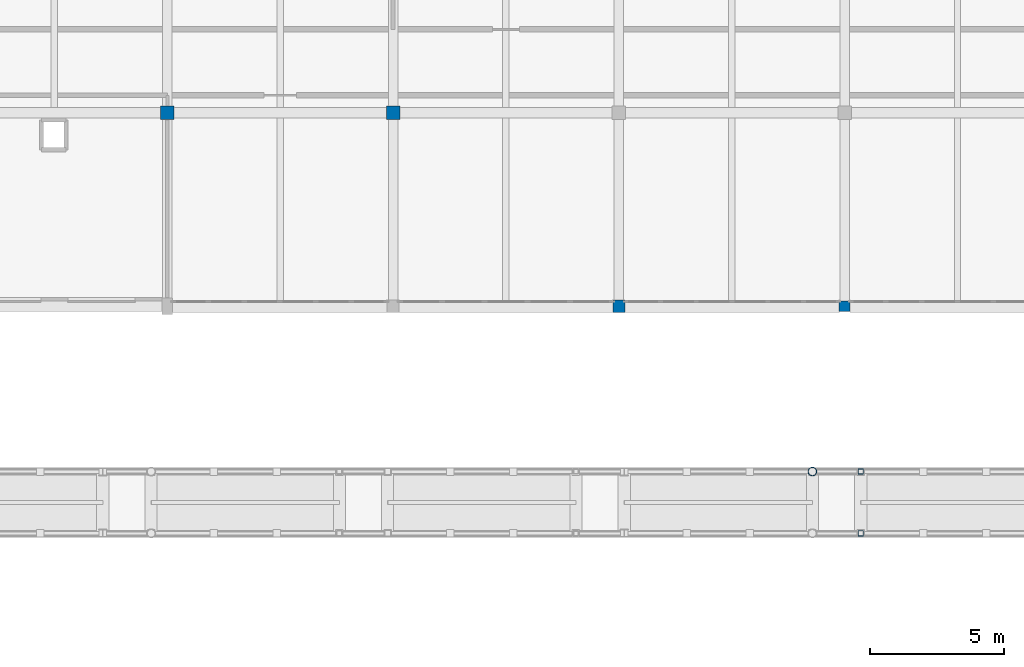
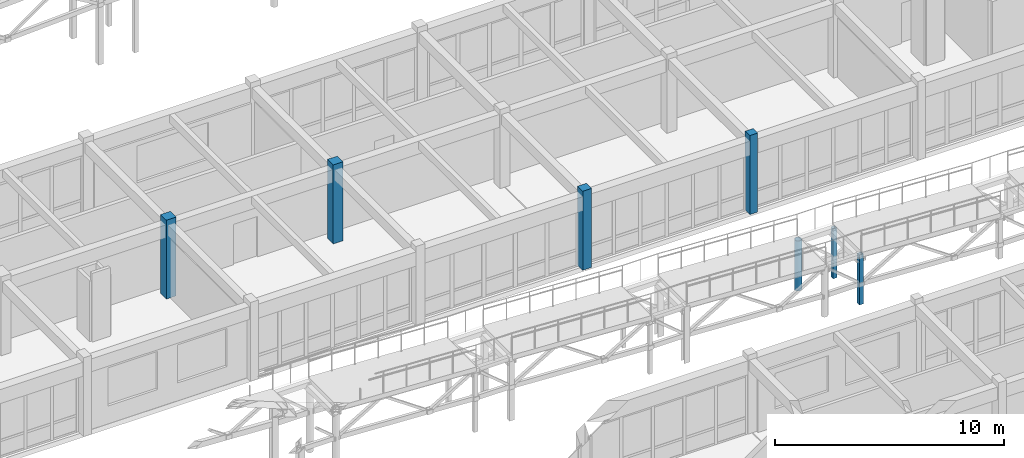
# One storey, part 5 of 89: 7 columns.
"""IFC4 building model written with IfcOpenShell, lengths in metres."""

from ifc_helpers import new_model, si_unit, direction, frame, origin, origin_2d, place, context, subcontext, project, spatial, rectangle, hollow_rectangle, hollow_circle, extrude, material, material_profile, profile_set, type_object, element, save


model = new_model("IFC4")

# Units and contexts
model_context = context("Model", 3, precision=1e-05, world=origin(), true_north=direction((0.0, 1.0)))
body_context = subcontext(model_context, "Body", "Model", "MODEL_VIEW")
ifc_project = project(units=[si_unit("LENGTHUNIT", "METRE"), si_unit("AREAUNIT", "SQUARE_METRE"), si_unit("VOLUMEUNIT", "CUBIC_METRE"), si_unit("PLANEANGLEUNIT", "RADIAN"), si_unit("MASSUNIT", "GRAM", prefix="KILO")], contexts=[model_context])

# Site, building, storey
site_placement = place(None, origin())
site = spatial("IfcSite", under=ifc_project, at=site_placement, CompositionType="ELEMENT")
building_placement = place(site_placement, origin())
building = spatial("IfcBuilding", under=site, at=building_placement, Name="Malvenik Polytechnic", CompositionType="ELEMENT")
storey_placement = place(building_placement, frame((0.0, 0.0, 13.5)))
storey = spatial("IfcBuildingStorey", under=building, at=storey_placement, Name="L03", CompositionType="ELEMENT", Elevation=13.5)

# Columns
ifc_material_1 = material(Name="Concrete C35/45", Category="concrete")
ifc_material_profile_1 = material_profile(ifc_material_1, rectangle(XDim=0.5, YDim=0.5, at=origin_2d()), Name="RC COL 500x500")
ifc_profile_set_1 = profile_set([ifc_material_profile_1], Name="Concrete C35/45")
column_type_1 = type_object("IfcColumnType", Name="STR-COL-C-08", PredefinedType="COLUMN", material=ifc_profile_set_1)
for number, where, z_axis, x_axis, name in (
    (1, (33.60009765625, 86.39990234375, 0.0), (0.0, 0.0, 1.0), (1.0, 0.0, 0.0), "Column C-08 L03 (33.6,86.4)"),
    (2, (42.0, 86.39990234375, 0.0), (0.0, 0.0, 1.0), (1.0, 0.0, 0.0), "Column C-08 L03 (42.0,86.4)"),
):
    element("IfcColumn", number, at=place(storey_placement, frame(where, z_axis=z_axis, x_axis=x_axis)), inside=storey, type_object=column_type_1, Name=name, PredefinedType="COLUMN", context=body_context, shape_type="SweptSolid", body=[
        extrude(rectangle(XDim=0.5, YDim=0.5, at=origin_2d()), origin(), (0.0, 0.0, 1.0), 4.199951171875),
    ])
ifc_material_profile_2 = material_profile(ifc_material_1, rectangle(XDim=0.449951171875, YDim=0.449951171875, at=origin_2d()), Name="RC COL 450x450")
ifc_profile_set_2 = profile_set([ifc_material_profile_2], Name="Concrete C35/45")
column_type_2 = type_object("IfcColumnType", Name="STR-COL-C-09", PredefinedType="COLUMN", material=ifc_profile_set_2)
column_1_placement = place(storey_placement, frame((50.39990234375, 79.199951171875, 0.0), z_axis=(0.0, 0.0, 1.0), x_axis=(1.0, 0.0, 0.0)))
element("IfcColumn", 3, at=column_1_placement, inside=storey, type_object=column_type_2, Name="Column C-09 L03 (50.4,79.2)", PredefinedType="COLUMN", context=body_context, shape_type="SweptSolid", body=[
    extrude(rectangle(XDim=0.449951171875, YDim=0.449951171875, at=origin_2d()), origin(), (0.0, 0.0, 1.0), 4.199951171875),
])
ifc_material_2 = material(Name="Concrete C30/37", Category="concrete")
ifc_material_profile_3 = material_profile(ifc_material_2, rectangle(XDim=0.39990234375, YDim=0.39990234375, at=origin_2d()), Name="RC COL 400x400")
ifc_profile_set_3 = profile_set([ifc_material_profile_3], Name="Concrete C30/37")
column_type_3 = type_object("IfcColumnType", Name="STR-COL-C-10", PredefinedType="COLUMN", material=ifc_profile_set_3)
column_2_placement = place(storey_placement, frame((58.800048828125, 79.199951171875, 0.0), z_axis=(0.0, 0.0, 1.0), x_axis=(1.0, 0.0, 0.0)))
element("IfcColumn", 4, at=column_2_placement, inside=storey, type_object=column_type_3, Name="Column C-10 L03 (58.8,79.2)", PredefinedType="COLUMN", context=body_context, shape_type="SweptSolid", body=[
    extrude(rectangle(XDim=0.39990234375, YDim=0.39990234375, at=origin_2d()), origin(), (0.0, 0.0, 1.0), 4.199951171875),
])
ifc_material_3 = material(Name="Steel S355J2H", Category="steel")
ifc_material_profile_4 = material_profile(ifc_material_3, hollow_rectangle(XDim=0.199951171875, YDim=0.199951171875, WallThickness=0.010009765625, at=origin_2d()), Name="SHS 200x200x10.0")
ifc_profile_set_4 = profile_set([ifc_material_profile_4], Name="Steel S355J2H")
column_type_4 = type_object("IfcColumnType", Name="STR-SCOL-SC-02", PredefinedType="COLUMN", material=ifc_profile_set_4)
for number, where, z_axis, x_axis, name in (
    (5, (59.39990234375, 70.75, 0.0), (0.0, 0.0, 1.0), (1.0, 0.0, 0.0), "Bridge-Ramp Support Column SC-02 L03"),
    (6, (59.39990234375, 73.050048828125, 0.0), (0.0, 0.0, 1.0), (1.0, 0.0, 0.0), "Bridge-Ramp Support Column SC-02 L03"),
):
    element("IfcColumn", number, at=place(storey_placement, frame(where, z_axis=z_axis, x_axis=x_axis)), inside=storey, type_object=column_type_4, Name=name, PredefinedType="COLUMN", context=body_context, shape_type="SweptSolid", body=[
        extrude(hollow_rectangle(XDim=0.199951171875, YDim=0.199951171875, WallThickness=0.010009765625, at=origin_2d()), origin(), (0.0, 0.0, 1.0), 2.659912109375),
    ])
ifc_material_profile_5 = material_profile(ifc_material_3, hollow_circle(Radius=0.161865234375, WallThickness=0.012451171875, at=origin_2d()), Name="CHS 323.9x12.5")
ifc_profile_set_5 = profile_set([ifc_material_profile_5], Name="Steel S355J2H")
column_type_5 = type_object("IfcColumnType", Name="STR-SCOL-SC-04", PredefinedType="COLUMN", material=ifc_profile_set_5)
column_3_placement = place(storey_placement, frame((57.60009765625, 73.050048828125, 0.0), z_axis=(0.0, 0.0, 1.0), x_axis=(1.0, 0.0, 0.0)))
element("IfcColumn", 7, at=column_3_placement, inside=storey, type_object=column_type_5, Name="Bridge-Ramp Support Column SC-04 L03", PredefinedType="COLUMN", context=body_context, shape_type="SweptSolid", body=[
    extrude(hollow_circle(Radius=0.161865234375, WallThickness=0.012451171875, at=origin_2d()), origin(), (0.0, 0.0, 1.0), 2.659912109375),
])

save(model, "model.ifc")
